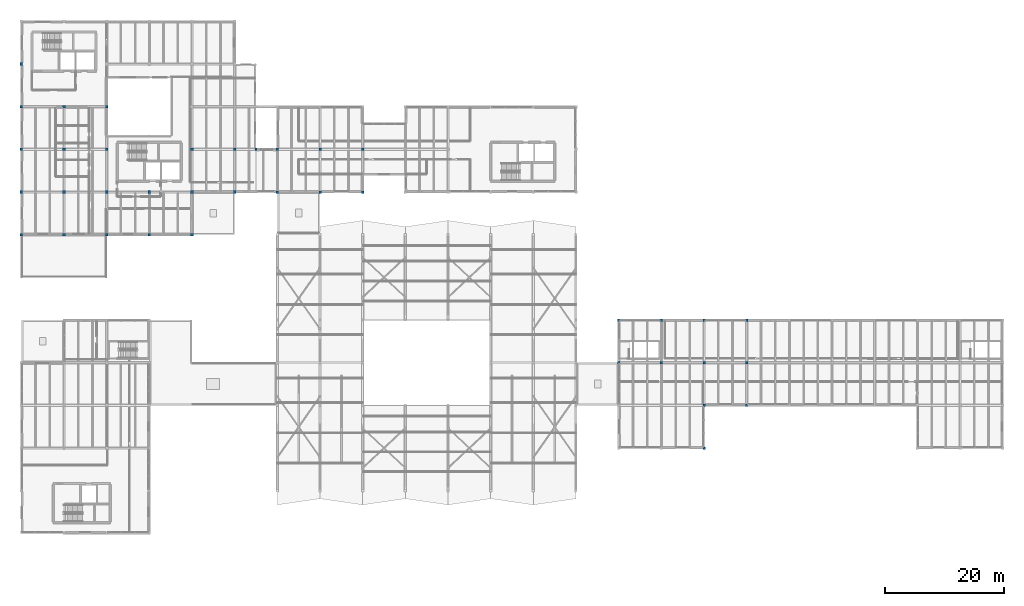
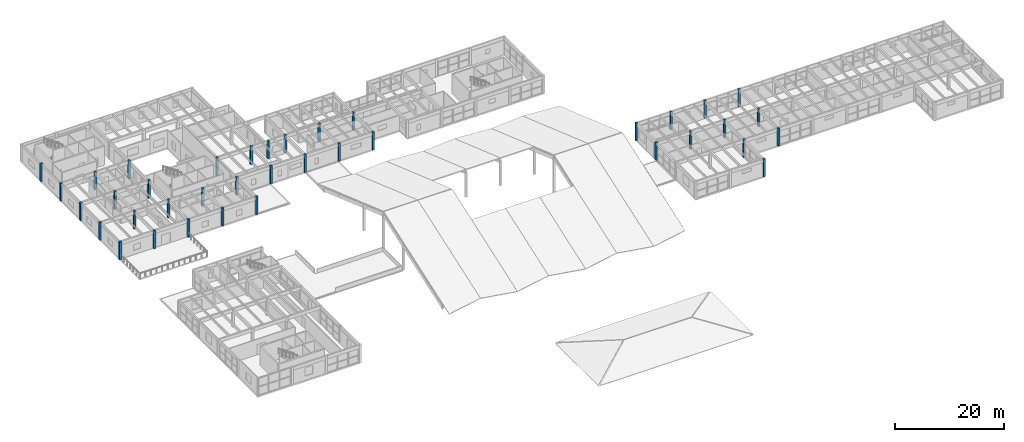
# One storey, part 2 of 68: 38 columns.
"""IFC4 building model written with IfcOpenShell, lengths in metres."""

from ifc_helpers import new_model, si_unit, direction, frame, origin, origin_2d, place, context, subcontext, project, spatial, rectangle, extrude, material, material_profile, profile_set, type_object, element, save


model = new_model("IFC4")

# Units and contexts
model_context = context("Model", 3, precision=1e-05, world=origin(), true_north=direction((0.0, 1.0)))
body_context = subcontext(model_context, "Body", "Model", "MODEL_VIEW")
ifc_project = project(units=[si_unit("LENGTHUNIT", "METRE"), si_unit("AREAUNIT", "SQUARE_METRE"), si_unit("VOLUMEUNIT", "CUBIC_METRE"), si_unit("PLANEANGLEUNIT", "RADIAN"), si_unit("MASSUNIT", "GRAM", prefix="KILO")], contexts=[model_context])

# Site, building, storey
site_placement = place(None, origin())
site = spatial("IfcSite", under=ifc_project, at=site_placement, CompositionType="ELEMENT")
building_placement = place(site_placement, origin())
building = spatial("IfcBuilding", under=site, at=building_placement, Name="Bramvelor Terrace Health Centre", CompositionType="ELEMENT")
storey_placement = place(building_placement, frame((0.0, 0.0, 9.300048828125)))
storey = spatial("IfcBuildingStorey", under=building, at=storey_placement, Name="L03", CompositionType="ELEMENT", Elevation=9.300048828125)

# Columns
ifc_material_1 = material(Name="Glulam GL28h", Category="wood")
ifc_material_profile_1 = material_profile(ifc_material_1, rectangle(XDim=0.39990234375, YDim=0.39990234375, at=origin_2d()), Name="GL 400x400")
ifc_profile_set_1 = profile_set([ifc_material_profile_1], Name="Glulam GL28h")
column_type_1 = type_object("IfcColumnType", Name="COL-GL-400-EXT", PredefinedType="COLUMN", material=ifc_profile_set_1)
column_placement = place(storey_placement, frame((39.60009765625, 93.60009765625, 0.0), z_axis=(0.0, 0.0, 1.0), x_axis=(1.0, 0.0, 0.0)))
element("IfcColumn", 1, at=column_placement, inside=storey, type_object=column_type_1, Name="L03 Terrace Setback Column (39.6, 93.6)", PredefinedType="COLUMN", context=body_context, shape_type="SweptSolid", body=[
    extrude(rectangle(XDim=0.39990234375, YDim=0.39990234375, at=origin_2d()), origin(), (0.0, 0.0, 1.0), 3.97998046875),
])
ifc_material_2 = material(Name="Glulam GL28h", Category="wood")
ifc_material_profile_2 = material_profile(ifc_material_2, rectangle(XDim=0.419921875, YDim=0.419921875, at=origin_2d()), Name="GL 420x420")
ifc_profile_set_2 = profile_set([ifc_material_profile_2], Name="Glulam GL28h")
column_type_2 = type_object("IfcColumnType", Name="COL-GL-420", PredefinedType="COLUMN", material=ifc_profile_set_2)
for number, where, z_axis, x_axis, name in (
    (2, (43.199951171875, 86.39990234375, 0.0), (0.0, 0.0, 1.0), (1.0, 0.0, 0.0), "L03 Column (43.2, 86.4)"),
    (3, (43.199951171875, 93.60009765625, 0.0), (0.0, 0.0, 1.0), (1.0, 0.0, 0.0), "L03 Column (43.2, 93.6)"),
    (4, (50.39990234375, 86.39990234375, 0.0), (0.0, 0.0, 1.0), (1.0, 0.0, 0.0), "L03 Column (50.4, 86.4)"),
    (5, (50.39990234375, 93.60009765625, 0.0), (0.0, 0.0, 1.0), (1.0, 0.0, 0.0), "L03 Column (50.4, 93.6)"),
    (6, (57.60009765625, 86.39990234375, 0.0), (0.0, 0.0, 1.0), (1.0, 0.0, 0.0), "L03 Column (57.6, 86.4)"),
    (7, (57.60009765625, 93.60009765625, 0.0), (0.0, 0.0, 1.0), (1.0, 0.0, 0.0), "L03 Column (57.6, 93.6)"),
    (8, (100.800048828125, 57.60009765625, 0.0), (0.0, 0.0, 1.0), (1.0, 0.0, 0.0), "L03 Column (100.8, 57.6)"),
    (9, (100.800048828125, 64.800048828125, 0.0), (0.0, 0.0, 1.0), (1.0, 0.0, 0.0), "L03 Column (100.8, 64.8)"),
    (10, (108.0, 57.60009765625, 0.0), (0.0, 0.0, 1.0), (1.0, 0.0, 0.0), "L03 Column (108.0, 57.6)"),
    (11, (108.0, 64.800048828125, 0.0), (0.0, 0.0, 1.0), (1.0, 0.0, 0.0), "L03 Column (108.0, 64.8)"),
    (12, (115.199951171875, 43.199951171875, 0.0), (0.0, 0.0, 1.0), (1.0, 0.0, 0.0), "L03 Column (115.2, 43.2)"),
    (13, (115.199951171875, 50.39990234375, 0.0), (0.0, 0.0, 1.0), (1.0, 0.0, 0.0), "L03 Column (115.2, 50.4)"),
    (14, (115.199951171875, 57.60009765625, 0.0), (0.0, 0.0, 1.0), (1.0, 0.0, 0.0), "L03 Column (115.2, 57.6)"),
    (15, (115.199951171875, 64.800048828125, 0.0), (0.0, 0.0, 1.0), (1.0, 0.0, 0.0), "L03 Column (115.2, 64.8)"),
    (16, (122.39990234375, 50.39990234375, 0.0), (0.0, 0.0, 1.0), (1.0, 0.0, 0.0), "L03 Column (122.4, 50.4)"),
    (17, (122.39990234375, 57.60009765625, 0.0), (0.0, 0.0, 1.0), (1.0, 0.0, 0.0), "L03 Column (122.4, 57.6)"),
    (18, (122.39990234375, 64.800048828125, 0.0), (0.0, 0.0, 1.0), (1.0, 0.0, 0.0), "L03 Column (122.4, 64.8)"),
):
    element("IfcColumn", number, at=place(storey_placement, frame(where, z_axis=z_axis, x_axis=x_axis)), inside=storey, type_object=column_type_2, Name=name, PredefinedType="COLUMN", context=body_context, shape_type="SweptSolid", body=[
        extrude(rectangle(XDim=0.419921875, YDim=0.419921875, at=origin_2d()), origin(), (0.0, 0.0, 1.0), 3.989990234375),
    ])
ifc_material_3 = material(Name="Glulam GL28h", Category="wood")
ifc_material_profile_3 = material_profile(ifc_material_3, rectangle(XDim=0.449951171875, YDim=0.449951171875, at=origin_2d()), Name="GL 450x450")
ifc_profile_set_3 = profile_set([ifc_material_profile_3], Name="Glulam GL28h")
column_type_3 = type_object("IfcColumnType", Name="COL-GL-450", PredefinedType="COLUMN", material=ifc_profile_set_3)
for number, where, z_axis, x_axis, name in (
    (19, (7.199951171875, 79.199951171875, 0.0), (0.0, 0.0, 1.0), (1.0, 0.0, 0.0), "L03 Column (7.2, 79.2)"),
    (20, (7.199951171875, 86.39990234375, 0.0), (0.0, 0.0, 1.0), (1.0, 0.0, 0.0), "L03 Column (7.2, 86.4)"),
    (21, (7.199951171875, 93.60009765625, 0.0), (0.0, 0.0, 1.0), (1.0, 0.0, 0.0), "L03 Column (7.2, 93.6)"),
    (22, (7.199951171875, 100.800048828125, 0.0), (0.0, 0.0, 1.0), (1.0, 0.0, 0.0), "L03 Column (7.2, 100.8)"),
    (23, (14.39990234375, 79.199951171875, 0.0), (0.0, 0.0, 1.0), (1.0, 0.0, 0.0), "L03 Column (14.4, 79.2)"),
    (24, (14.39990234375, 86.39990234375, 0.0), (0.0, 0.0, 1.0), (1.0, 0.0, 0.0), "L03 Column (14.4, 86.4)"),
    (25, (14.39990234375, 93.60009765625, 0.0), (0.0, 0.0, 1.0), (1.0, 0.0, 0.0), "L03 Column (14.4, 93.6)"),
    (26, (14.39990234375, 100.800048828125, 0.0), (0.0, 0.0, 1.0), (1.0, 0.0, 0.0), "L03 Column (14.4, 100.8)"),
    (27, (21.60009765625, 79.199951171875, 0.0), (0.0, 0.0, 1.0), (1.0, 0.0, 0.0), "L03 Column (21.6, 79.2)"),
    (28, (21.60009765625, 86.39990234375, 0.0), (0.0, 0.0, 1.0), (1.0, 0.0, 0.0), "L03 Column (21.6, 86.4)"),
    (29, (28.800048828125, 79.199951171875, 0.0), (0.0, 0.0, 1.0), (1.0, 0.0, 0.0), "L03 Column (28.8, 79.2)"),
    (30, (28.800048828125, 86.39990234375, 0.0), (0.0, 0.0, 1.0), (1.0, 0.0, 0.0), "L03 Column (28.8, 86.4)"),
    (31, (28.800048828125, 93.60009765625, 0.0), (0.0, 0.0, 1.0), (1.0, 0.0, 0.0), "L03 Column (28.8, 93.6)"),
    (32, (36.0, 86.39990234375, 0.0), (0.0, 0.0, 1.0), (1.0, 0.0, 0.0), "L03 Column (36.0, 86.4)"),
    (33, (36.0, 93.60009765625, 0.0), (0.0, 0.0, 1.0), (1.0, 0.0, 0.0), "L03 Column (36.0, 93.6)"),
):
    element("IfcColumn", number, at=place(storey_placement, frame(where, z_axis=z_axis, x_axis=x_axis)), inside=storey, type_object=column_type_3, Name=name, PredefinedType="COLUMN", context=body_context, shape_type="SweptSolid", body=[
        extrude(rectangle(XDim=0.449951171875, YDim=0.449951171875, at=origin_2d()), origin(), (0.0, 0.0, 1.0), 3.989990234375),
    ])
ifc_material_4 = material(Name="Glulam GL28h", Category="wood")
ifc_material_profile_4 = material_profile(ifc_material_4, rectangle(XDim=0.449951171875, YDim=0.449951171875, at=origin_2d()), Name="GL 450x450")
ifc_profile_set_4 = profile_set([ifc_material_profile_4], Name="Glulam GL28h")
column_type_4 = type_object("IfcColumnType", Name="COL-GL-450-EXT", PredefinedType="COLUMN", material=ifc_profile_set_4)
for number, where, z_axis, x_axis, name in (
    (34, (0.0, 79.199951171875, 0.0), (0.0, 0.0, 1.0), (1.0, 0.0, 0.0), "L03 Column (0.0, 79.2)"),
    (35, (0.0, 86.39990234375, 0.0), (0.0, 0.0, 1.0), (1.0, 0.0, 0.0), "L03 Column (0.0, 86.4)"),
    (36, (0.0, 93.60009765625, 0.0), (0.0, 0.0, 1.0), (1.0, 0.0, 0.0), "L03 Column (0.0, 93.6)"),
    (37, (0.0, 100.800048828125, 0.0), (0.0, 0.0, 1.0), (1.0, 0.0, 0.0), "L03 Column (0.0, 100.8)"),
    (38, (0.0, 108.0, 0.0), (0.0, 0.0, 1.0), (1.0, 0.0, 0.0), "L03 Column (0.0, 108.0)"),
):
    element("IfcColumn", number, at=place(storey_placement, frame(where, z_axis=z_axis, x_axis=x_axis)), inside=storey, type_object=column_type_4, Name=name, PredefinedType="COLUMN", context=body_context, shape_type="SweptSolid", body=[
        extrude(rectangle(XDim=0.449951171875, YDim=0.449951171875, at=origin_2d()), origin(), (0.0, 0.0, 1.0), 3.989990234375),
    ])

save(model, "model.ifc")
